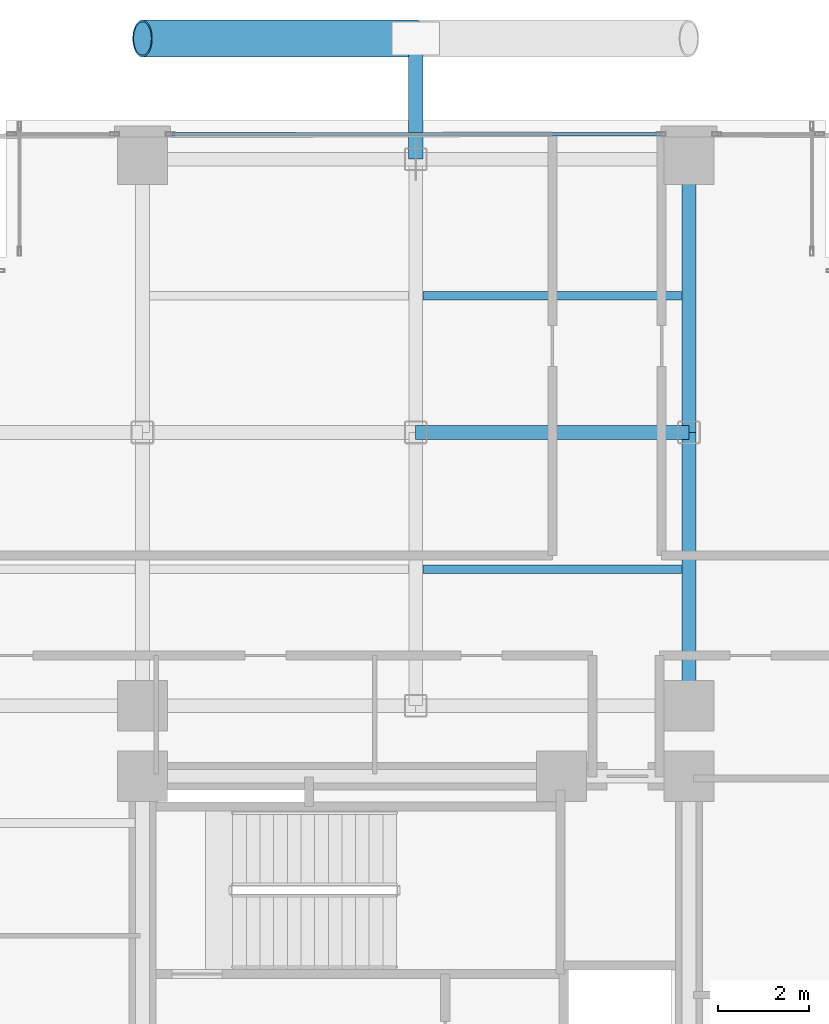
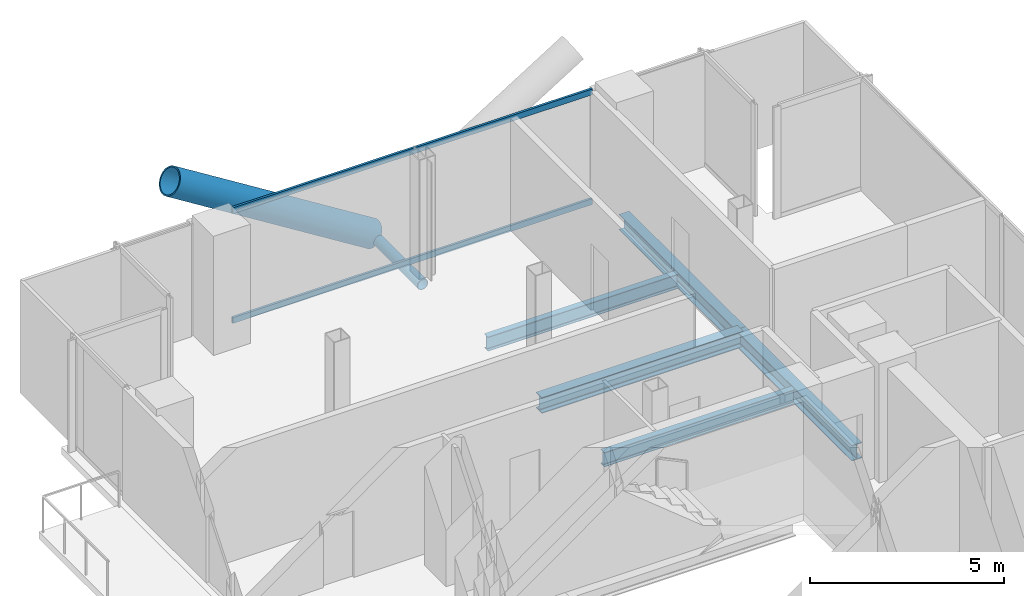
# One storey, part 16 of 28: 5 beams, 4 members, 1 element without a shape of its own.
"""IFC4 building model written with IfcOpenShell, lengths in metres."""

import ifcopenshell
import ifcopenshell.guid

model = None  # the IFC model being written
_history = None  # IfcOwnerHistory: only IFC2X3 demands one
_inside = {}  # id of a spatial element -> (the spatial element, [elements in it])
_under = {}  # id of a project, library or spatial element -> (it, [spatial elements below it])
_declared = {}  # id of a project -> (the project, [libraries it declares])
_typed = {}  # id of a type object -> (the type object, [elements of that type])
_made_of = {}  # id of a material, layer set ... -> (it, [elements and type objects made of it])


def new_model(schema):
    """Start an empty IFC model of exactly this schema.

    Asked for "IFC4X3", IfcOpenShell would pick the latest addendum, in which some entities
    have other attributes; the version numbers below select the first issue.
    IFC2X3 requires an IfcOwnerHistory on every rooted entity: one is made here for all.
    """
    global model, _history
    if schema == "IFC4X3":
        model = ifcopenshell.file(schema_version=(4, 3, 0, 0))
    else:
        model = ifcopenshell.file(schema=schema)
    _inside.clear()
    _under.clear()
    _declared.clear()
    _typed.clear()
    _made_of.clear()
    _history = None
    if model.schema == "IFC2X3":
        org = make("IfcOrganization", Name="unknown")
        user = make(
            "IfcPersonAndOrganization",
            ThePerson=make("IfcPerson", FamilyName="unknown"),
            TheOrganization=org,
        )
        app = make(
            "IfcApplication",
            ApplicationDeveloper=org,
            Version="unknown",
            ApplicationFullName="unknown",
            ApplicationIdentifier="unknown",
        )
        _history = make(
            "IfcOwnerHistory",
            OwningUser=user,
            OwningApplication=app,
            ChangeAction="ADDED",
            CreationDate=0,
        )
    return model


def make(cls, **values):
    """One entity of the class cls with the attributes given. An attribute that is None is left unset."""
    return model.create_entity(
        cls, **{name: value for name, value in values.items() if value is not None}
    )


def rooted(cls, **values):
    """An entity with a GlobalId (a new one), such as an element, a storey or a relation."""
    return make(cls, GlobalId=ifcopenshell.guid.new(), OwnerHistory=_history, **values)


def si_unit(unit_type, name, prefix=None):
    """IfcSIUnit, for example si_unit("LENGTHUNIT", "METRE", prefix="MILLI")."""
    return make("IfcSIUnit", UnitType=unit_type, Prefix=prefix, Name=name)


def assignment(units):
    """IfcUnitAssignment: the units of a project."""
    return None if units is None else make("IfcUnitAssignment", Units=units)


def point(xyz):
    """IfcCartesianPoint."""
    return None if xyz is None else make("IfcCartesianPoint", Coordinates=xyz)


def direction(xyz):
    """IfcDirection."""
    return None if xyz is None else make("IfcDirection", DirectionRatios=xyz)


def frame(location, z_axis=None, x_axis=None):
    """IfcAxis2Placement3D, a coordinate frame: its origin and axes. An axis left out is left unset."""
    return make(
        "IfcAxis2Placement3D",
        Location=point(location),
        Axis=direction(z_axis),
        RefDirection=direction(x_axis),
    )


def frame_2d(location, x_axis=None):
    """IfcAxis2Placement2D, a coordinate frame in the plane: its origin and x axis."""
    return make(
        "IfcAxis2Placement2D", Location=point(location), RefDirection=direction(x_axis)
    )


def origin():
    """The frame at (0, 0, 0) with its axes left unset."""
    return frame((0.0, 0.0, 0.0))


def origin_2d():
    """The frame at (0, 0) in the plane with its x axis left unset."""
    return frame_2d((0.0, 0.0))


def place(relative_to, where):
    """IfcLocalPlacement: puts the frame where relative to a parent placement (None: the world)."""
    return make(
        "IfcLocalPlacement", PlacementRelTo=relative_to, RelativePlacement=where
    )


def context(
    kind, dimensions, precision=None, world=None, true_north=None, identifier=None
):
    """IfcGeometricRepresentationContext, for example the 3D "Model" context."""
    return make(
        "IfcGeometricRepresentationContext",
        ContextIdentifier=identifier,
        ContextType=kind,
        CoordinateSpaceDimension=dimensions,
        Precision=precision,
        WorldCoordinateSystem=world,
        TrueNorth=true_north,
    )


def subcontext(parent, identifier, kind, view, scale=None):
    """IfcGeometricRepresentationSubContext, for example "Body" below "Model"."""
    return make(
        "IfcGeometricRepresentationSubContext",
        ContextIdentifier=identifier,
        ContextType=kind,
        ParentContext=parent,
        TargetScale=scale,
        TargetView=view,
    )


def project(units=None, contexts=None):
    """IfcProject with its units and contexts."""
    return rooted(
        "IfcProject",
        Name="project",
        RepresentationContexts=contexts,
        UnitsInContext=assignment(units),
    )


def spatial(cls, under=None, at=None, **own):
    """A site, building, storey or space (cls), placed at a placement, below another one or the project."""
    s = rooted(cls, ObjectPlacement=at, **own)
    if under is not None:
        _under.setdefault(under.id(), (under, []))[1].append(s)
    return s


def profile(cls, at=None, kind="AREA", **sizes):
    """A parametric profile (cls). Its sizes go by their IFC names, for example OverallWidth=200.0."""
    return make(cls, ProfileType=kind, Position=at, **sizes)


def hollow_rectangle(**sizes):
    """IfcRectangleHollowProfileDef."""
    return profile("IfcRectangleHollowProfileDef", **sizes)


def hollow_circle(**sizes):
    """IfcCircleHollowProfileDef."""
    return profile("IfcCircleHollowProfileDef", **sizes)


def i_section(**sizes):
    """IfcIShapeProfileDef."""
    return profile("IfcIShapeProfileDef", **sizes)


def extrude(swept, where, along, depth):
    """IfcExtrudedAreaSolid: the profile swept, set in the frame where, extruded along a direction by depth."""
    return make(
        "IfcExtrudedAreaSolid",
        SweptArea=swept,
        Position=where,
        ExtrudedDirection=direction(along),
        Depth=depth,
    )


def shape(context_of_items, identifier, shape_type, items):
    """IfcShapeRepresentation: the items that make up one representation, for example the "Body"."""
    return make(
        "IfcShapeRepresentation",
        ContextOfItems=context_of_items,
        RepresentationIdentifier=identifier,
        RepresentationType=shape_type,
        Items=items,
    )


def material(Name=None, Category=None):
    """IfcMaterial."""
    return make("IfcMaterial", Name=Name, Category=Category)


def layer(
    of_material, thickness, ventilated=None, Name=None, Category=None, Priority=None
):
    """IfcMaterialLayer: one layer of a wall or slab, of a material (None: an air gap)."""
    return make(
        "IfcMaterialLayer",
        Material=of_material,
        LayerThickness=thickness,
        IsVentilated=ventilated,
        Name=Name,
        Category=Category,
        Priority=Priority,
    )


def layer_set(layers, Name=None):
    """IfcMaterialLayerSet."""
    return make("IfcMaterialLayerSet", MaterialLayers=layers, LayerSetName=Name)


def material_profile(
    of_material, cross_section, Name=None, Category=None, Priority=None
):
    """IfcMaterialProfile: a cross section and its material."""
    return make(
        "IfcMaterialProfile",
        Name=Name,
        Material=of_material,
        Profile=cross_section,
        Priority=Priority,
        Category=Category,
    )


def profile_set(profiles, Name=None, composite=None):
    """IfcMaterialProfileSet."""
    return make(
        "IfcMaterialProfileSet",
        Name=Name,
        MaterialProfiles=profiles,
        CompositeProfile=composite,
    )


def made_of(thing, what):
    """Note that an element or type object is made of a material, layer set ...; save() writes the relation."""
    if what is not None:
        _made_of.setdefault(what.id(), (what, []))[1].append(thing)
    return thing


def type_object(cls, material=None, **own):
    """A type object (cls), such as IfcWallType, which elements share."""
    return made_of(rooted(cls, **own), material)


def element(
    cls,
    number,
    at=None,
    inside=None,
    cuts=None,
    type_object=None,
    material=None,
    context=None,
    identifier="Body",
    shape_type=None,
    held_by="IfcProductDefinitionShape",
    body=None,
    shapes=None,
    **own,
):
    """One element of the class cls, such as IfcWall. Its Tag is "e" and its number.

    at: its placement. inside: the storey or other place that contains it. cuts: it is an
    opening in that element (IfcRelVoidsElement). A single representation is given by context,
    identifier, shape_type and body (its items); several are given by shapes. held_by: the class
    of the entity that holds the representations. save() writes the other relations.
    """
    e = rooted(cls, Tag="e%d" % number, ObjectPlacement=at, **own)
    if body is not None:
        shapes = [shape(context, identifier, shape_type, body)]
    if shapes is not None:
        e.Representation = make(held_by, Representations=shapes)
    if inside is not None:
        _inside.setdefault(inside.id(), (inside, []))[1].append(e)
    if cuts is not None:
        rooted(
            "IfcRelVoidsElement", RelatingBuildingElement=cuts, RelatedOpeningElement=e
        )
    if type_object is not None:
        _typed.setdefault(type_object.id(), (type_object, []))[1].append(e)
    return made_of(e, material)


def aggregate(whole, parts):
    """IfcRelAggregates: a whole, such as a stair, and the parts it consists of."""
    return rooted("IfcRelAggregates", RelatingObject=whole, RelatedObjects=parts)


def save(model, path):
    """Write the relations noted so far, then the file.

    IfcRelAggregates (storeys below a building ...), IfcRelContainedInSpatialStructure (elements
    in a storey), IfcRelDefinesByType, IfcRelAssociatesMaterial and IfcRelDeclares: one each for
    every whole, place, type object, material and project.
    """
    for whole, parts in _under.values():
        aggregate(whole, parts)
    for where, things in _inside.values():
        rooted(
            "IfcRelContainedInSpatialStructure",
            RelatedElements=things,
            RelatingStructure=where,
        )
    for kind, things in _typed.values():
        rooted("IfcRelDefinesByType", RelatedObjects=things, RelatingType=kind)
    for what, things in _made_of.values():
        rooted("IfcRelAssociatesMaterial", RelatedObjects=things, RelatingMaterial=what)
    for by, libraries in _declared.values():
        rooted("IfcRelDeclares", RelatingContext=by, RelatedDefinitions=libraries)
    model.write(path)


model = new_model("IFC4")

# Units and contexts
model_context = context("Model", 3, precision=1e-05, world=origin(), true_north=direction((0.0, 1.0)))
body_context = subcontext(model_context, "Body", "Model", "MODEL_VIEW")
ifc_project = project(units=[si_unit("LENGTHUNIT", "METRE"), si_unit("AREAUNIT", "SQUARE_METRE"), si_unit("VOLUMEUNIT", "CUBIC_METRE"), si_unit("PLANEANGLEUNIT", "RADIAN"), si_unit("MASSUNIT", "GRAM", prefix="KILO"), si_unit("THERMODYNAMICTEMPERATUREUNIT", "KELVIN"), si_unit("POWERUNIT", "WATT")], contexts=[model_context])

# Site, building, storey
site_placement = place(None, origin())
site = spatial("IfcSite", under=ifc_project, at=site_placement, CompositionType="ELEMENT")
building_placement = place(site_placement, origin())
building = spatial("IfcBuilding", under=site, at=building_placement, Name="Svarakhadi Broadcast Tower", CompositionType="ELEMENT")
storey_placement = place(building_placement, frame((0.0, 0.0, 138.14990234375)))
storey = spatial("IfcBuildingStorey", under=building, at=storey_placement, Name="L33", CompositionType="ELEMENT", Elevation=138.14990234375)

# Beams
ifc_material_1 = material(Name="Steel S355J2 (IS 2062 E350C)", Category="steel")
ifc_material_profile_1 = material_profile(ifc_material_1, i_section(OverallWidth=0.18994140625, OverallDepth=0.449951171875, WebThickness=0.009521484375, FlangeThickness=0.0146484375, FilletRadius=0.02099609375, at=origin_2d()), Name="NPB 450x190x78")
ifc_profile_set_1 = profile_set([ifc_material_profile_1], Name="Steel S355J2 (IS 2062 E350C)")
beam_type_1 = type_object("IfcBeamType", Name="Beam_NPB450", PredefinedType="BEAM", material=ifc_profile_set_1)
for number, where, z_axis, x_axis, name in (
    (1, (12.159912109375, 32.14990234375, -0.449951171875), (1.0, 0.0, 0.0), (0.0, 1.0, 0.0), "L33 Secondary Composite Beam SB014"),
    (2, (12.159912109375, 38.14990234375, -0.449951171875), (1.0, 0.0, 0.0), (0.0, 1.0, 0.0), "L33 Secondary Composite Beam SB015"),
):
    element("IfcBeam", number, at=place(storey_placement, frame(where, z_axis=z_axis, x_axis=x_axis)), inside=storey, type_object=beam_type_1, Name=name, PredefinedType="BEAM", context=body_context, shape_type="SweptSolid", body=[
        extrude(i_section(OverallWidth=0.18994140625, OverallDepth=0.449951171875, WebThickness=0.009521484375, FlangeThickness=0.0146484375, FilletRadius=0.02099609375, at=origin_2d()), origin(), (0.0, 0.0, 1.0), 5.68017578125),
    ])

# Curtain wall, members
ifc_material_2 = material(Name="Anodised Bronze Aluminium AA 6063-T6", Category="aluminium")
ifc_layer = layer(ifc_material_2, 0.199951171875)
ifc_layer_set = layer_set([ifc_layer], Name="Anodised Bronze Aluminium AA 6063-T6")
curtain_wall_type = type_object("IfcCurtainWallType", Name="CW_Sys_03", PredefinedType="NOTDEFINED", material=ifc_layer_set)
curtain_wall_placement = place(storey_placement, origin())
curtain_wall = element("IfcCurtainWall", 3, at=curtain_wall_placement, inside=storey, type_object=curtain_wall_type, Name="L33 Unitised Facade Curtain Wall 06 Bay 2", PredefinedType="NOTDEFINED")
ifc_material_profile_2 = material_profile(ifc_material_2, hollow_rectangle(XDim=0.070068359375, YDim=0.18505859375, WallThickness=0.0048828125, at=origin_2d()), Name="ALU TRANSOM 185x70x5")
ifc_profile_set_2 = profile_set([ifc_material_profile_2], Name="Anodised Bronze Aluminium AA 6063-T6")
member_type_1 = type_object("IfcMemberType", Name="CW_Sys_03_Trn", PredefinedType="USERDEFINED", material=ifc_profile_set_2)
member_1_placement = place(storey_placement, frame((6.64501953125, 41.699951171875, 0.03515625), z_axis=(1.0, 0.0, 0.0), x_axis=(0.0, 1.0, 0.0)))
member_1 = element("IfcMember", 4, at=member_1_placement, type_object=member_type_1, Name="CW-03 transom 1.1", ObjectType="TRANSOM", PredefinedType="USERDEFINED", context=body_context, shape_type="SweptSolid", body=[
    extrude(hollow_rectangle(XDim=0.070068359375, YDim=0.18505859375, WallThickness=0.0048828125, at=origin_2d()), origin(), (0.0, 0.0, 1.0), 10.7099609375),
])
member_2_placement = place(storey_placement, frame((6.64501953125, 41.699951171875, 3.489990234375), z_axis=(1.0, 0.0, 0.0), x_axis=(0.0, 1.0, 0.0)))
member_2 = element("IfcMember", 5, at=member_2_placement, type_object=member_type_1, Name="CW-03 transom 1.2", ObjectType="TRANSOM", PredefinedType="USERDEFINED", context=body_context, shape_type="SweptSolid", body=[
    extrude(hollow_rectangle(XDim=0.070068359375, YDim=0.18505859375, WallThickness=0.0048828125, at=origin_2d()), origin(), (0.0, 0.0, 1.0), 10.7099609375),
])
aggregate(curtain_wall, [member_1, member_2])

# Members
ifc_material_3 = material(Name="Steel S460ML (IS 2062 E450BR)", Category="steel")
ifc_material_profile_3 = material_profile(ifc_material_3, hollow_circle(Radius=0.406494140625, WallThickness=0.0400390625, at=origin_2d()), Name="CHS 813x40")
ifc_profile_set_3 = profile_set([ifc_material_profile_3], Name="Steel S460ML (IS 2062 E450BR)")
member_type_2 = type_object("IfcMemberType", Name="Exo_Brace_CHS813", PredefinedType="BRACE", material=ifc_profile_set_3)
member_3_placement = place(storey_placement, frame((12.0, 43.800048828125, -0.386962890625), z_axis=(-0.847998304005, 0.0, 0.529998940003), x_axis=(0.0, -1.0, 0.0)))
element("IfcMember", 6, at=member_3_placement, inside=storey, type_object=member_type_2, Name="L33 Exposed Bronze Exoskeleton Diagonal N10", PredefinedType="BRACE", context=body_context, shape_type="SweptSolid", body=[
    extrude(hollow_circle(Radius=0.406494140625, WallThickness=0.0400390625, at=origin_2d()), origin(), (0.0, 0.0, 1.0), 7.075439453125),
])
ifc_material_profile_4 = material_profile(ifc_material_3, hollow_circle(Radius=0.161865234375, WallThickness=0.01611328125, at=origin_2d()), Name="CHS 323.9x16")
ifc_profile_set_4 = profile_set([ifc_material_profile_4], Name="Steel S460ML (IS 2062 E450BR)")
member_type_3 = type_object("IfcMemberType", Name="Exo_Radial_Strut_Z2", PredefinedType="STRUT", material=ifc_profile_set_4)
member_4_placement = place(storey_placement, frame((12.0, 43.800048828125, -0.386962890625), z_axis=(0.0, -1.0, 0.0), x_axis=(1.0, 0.0, 0.0)))
element("IfcMember", 7, at=member_4_placement, inside=storey, type_object=member_type_3, Name="L33 Exoskeleton Radial Tie Strut N06", PredefinedType="STRUT", context=body_context, shape_type="SweptSolid", body=[
    extrude(hollow_circle(Radius=0.161865234375, WallThickness=0.01611328125, at=origin_2d()), origin(), (0.0, 0.0, 1.0), 2.650146484375),
])

# Beams
ifc_material_profile_5 = material_profile(ifc_material_1, i_section(OverallWidth=0.300048828125, OverallDepth=0.5, WebThickness=0.014404296875, FlangeThickness=0.028076171875, FilletRadius=0.027099609375, at=origin_2d()), Name="WPB 500x300x187")
ifc_profile_set_5 = profile_set([ifc_material_profile_5], Name="Steel S355J2 (IS 2062 E350C)")
beam_type_2 = type_object("IfcBeamType", Name="Girder_WPB500", PredefinedType="USERDEFINED", material=ifc_profile_set_5)
for number, where, z_axis, x_axis, name in (
    (8, (12.0, 35.14990234375, -0.474853515625), (1.0, 0.0, 0.0), (0.0, 1.0, 0.0), "L33 Primary E-W Girder G037"),
    (9, (18.0, 29.14990234375, -0.474853515625), (0.0, 1.0, 0.0), (-1.0, 0.0, 0.0), "L33 Primary N-S Girder G060"),
    (10, (18.0, 35.14990234375, -0.474853515625), (0.0, 1.0, 0.0), (-1.0, 0.0, 0.0), "L33 Primary N-S Girder G061"),
):
    element("IfcBeam", number, at=place(storey_placement, frame(where, z_axis=z_axis, x_axis=x_axis)), inside=storey, type_object=beam_type_2, Name=name, ObjectType="GIRDER", PredefinedType="USERDEFINED", context=body_context, shape_type="SweptSolid", body=[
        extrude(i_section(OverallWidth=0.300048828125, OverallDepth=0.5, WebThickness=0.014404296875, FlangeThickness=0.028076171875, FilletRadius=0.027099609375, at=origin_2d()), origin(), (0.0, 0.0, 1.0), 6.0),
    ])

save(model, "model.ifc")
